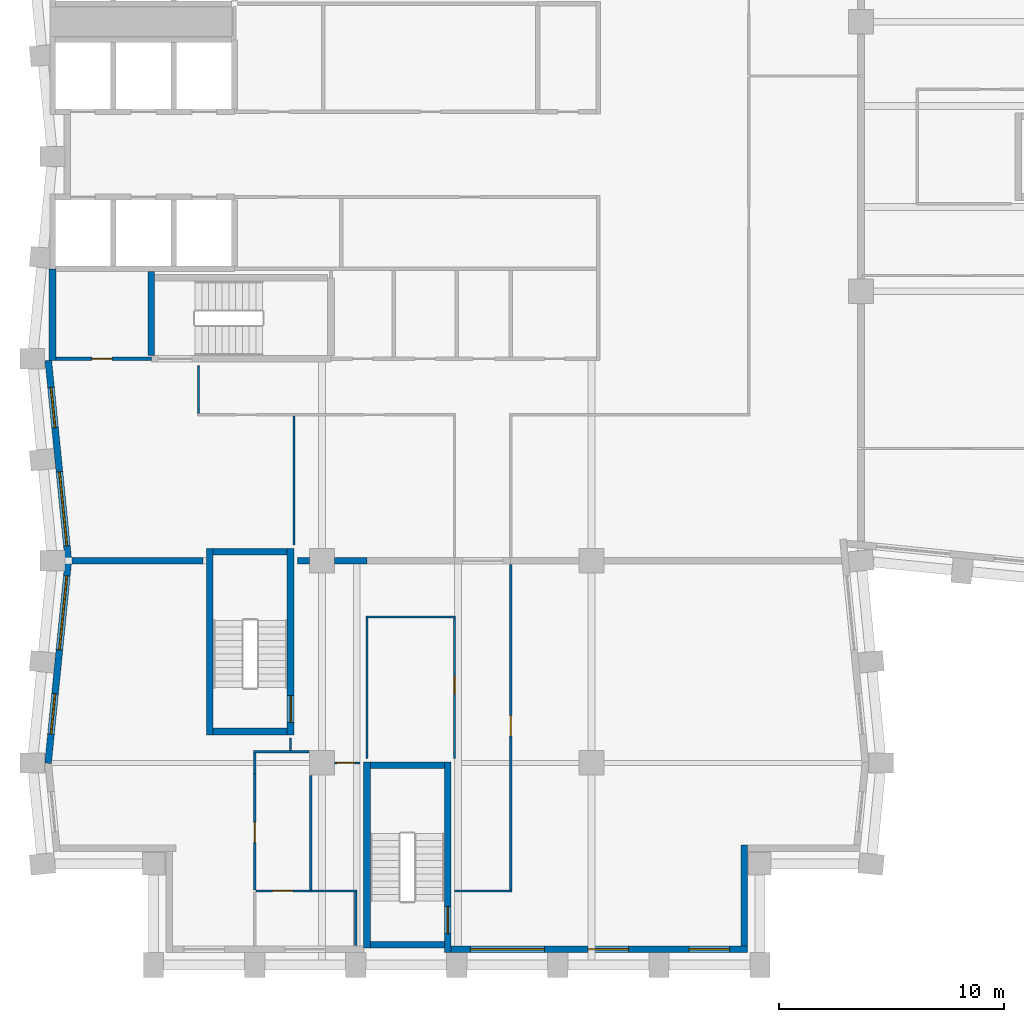
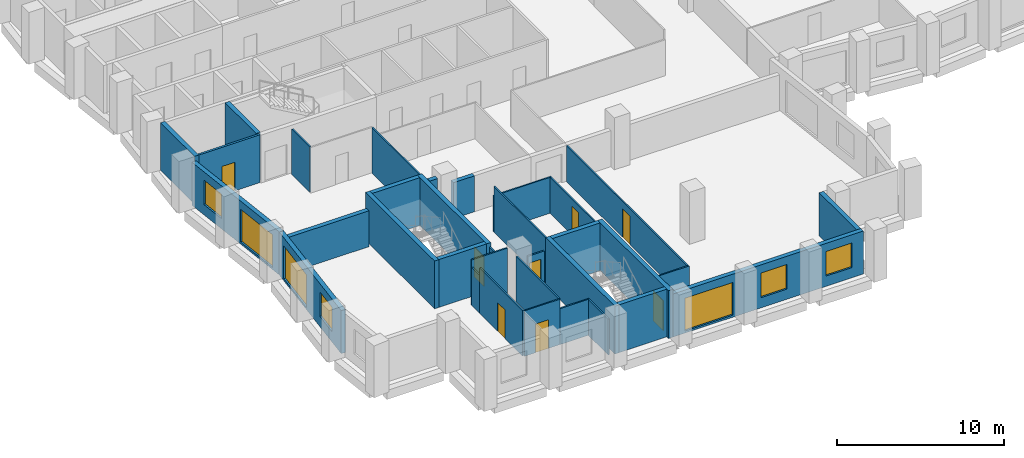
# One storey, part 3 of 10: 34 walls, 8 doors, 7 windows, 15 openings.
"""IFC4 building model written with IfcOpenShell, lengths in metres."""

from ifc_helpers import new_model, si_unit, direction, frame, frame_2d, origin, place, context, subcontext, project, spatial, rectangle, extrude, material, layer, layer_set, type_object, element, fill, save


model = new_model("IFC4")

# Units and contexts
model_context = context("Model", 3, precision=1e-05, world=origin(), true_north=direction((0.0, 1.0)))
body_context = subcontext(model_context, "Body", "Model", "MODEL_VIEW")
ifc_project = project(units=[si_unit("LENGTHUNIT", "METRE"), si_unit("AREAUNIT", "SQUARE_METRE"), si_unit("VOLUMEUNIT", "CUBIC_METRE"), si_unit("PLANEANGLEUNIT", "RADIAN"), si_unit("MASSUNIT", "GRAM", prefix="KILO")], contexts=[model_context])

# Site, building, storey
site_placement = place(None, origin())
site = spatial("IfcSite", under=ifc_project, at=site_placement, CompositionType="ELEMENT")
building_placement = place(site_placement, origin())
building = spatial("IfcBuilding", under=site, at=building_placement, Name="Brondeck Convention Tower", CompositionType="ELEMENT")
storey_placement = place(building_placement, frame((0.0, 0.0, 185.199951171875)))
storey = spatial("IfcBuildingStorey", under=building, at=storey_placement, Name="L45", CompositionType="ELEMENT", Elevation=185.199951171875)

# Walls
ifc_material_1 = material(Name="Concrete compartment wall C30/37", Category="concrete")
ifc_layer_1 = layer(ifc_material_1, 0.300048828125)
ifc_layer_set_1 = layer_set([ifc_layer_1], Name="Compartment wall 300")
wall_type_1 = type_object("IfcWallType", Name="Compartment wall 300", PredefinedType="PARTITIONING", material=ifc_layer_set_1)
wall_1_placement = place(storey_placement, frame((0.8740234375, 27.0, 0.0), z_axis=(0.0, 0.0, 1.0), x_axis=(1.0, 0.0, 0.0)))
element("IfcWall", 1, at=wall_1_placement, inside=storey, type_object=wall_type_1, Name="FLR-L45-W017", PredefinedType="PARTITIONING", context=body_context, shape_type="SweptSolid", body=[
    extrude(rectangle(XDim=5.825927734375, YDim=0.300048828125, at=frame_2d((2.9130859375, 0.0))), origin(), (0.0, 0.0, 1.0), 2.630126953125),
])
wall_2_placement = place(storey_placement, frame((10.89990234375, 27.0, 0.0), z_axis=(0.0, 0.0, 1.0), x_axis=(1.0, 0.0, 0.0)))
element("IfcWall", 2, at=wall_2_placement, inside=storey, type_object=wall_type_1, Name="FLR-L45-W018", PredefinedType="PARTITIONING", context=body_context, shape_type="SweptSolid", body=[
    extrude(rectangle(XDim=0.545166015625, YDim=0.300048828125, at=frame_2d((0.2724609375, 0.0))), origin(), (0.0, 0.0, 1.0), 3.330078125),
])
wall_3_placement = place(storey_placement, frame((12.554931640625, 27.0, 0.0), z_axis=(0.0, 0.0, 1.0), x_axis=(1.0, 0.0, 0.0)))
element("IfcWall", 3, at=wall_3_placement, inside=storey, type_object=wall_type_1, Name="FLR-L45-W019", PredefinedType="PARTITIONING", context=body_context, shape_type="SweptSolid", body=[
    extrude(rectangle(XDim=1.445068359375, YDim=0.300048828125, at=frame_2d((0.72265625, 0.0))), origin(), (0.0, 0.0, 1.0), 2.630126953125),
])
ifc_material_2 = material(Name="Concrete C70/85", Category="concrete")
ifc_layer_2 = layer(ifc_material_2, 0.300048828125)
ifc_layer_set_2 = layer_set([ifc_layer_2], Name="Core outer wall 300 Concrete C70/85")
wall_type_2 = type_object("IfcWallType", Name="Core outer wall 300 Concrete C70/85", PredefinedType="SHEAR", material=ifc_layer_set_2)
wall_4_placement = place(storey_placement, frame((0.0, 35.925048828125, 0.0), z_axis=(0.0, 0.0, 1.0), x_axis=(0.0, 1.0, 0.0)))
element("IfcWall", 4, at=wall_4_placement, inside=storey, type_object=wall_type_2, Name="L45 core wall", PredefinedType="SHEAR", context=body_context, shape_type="SweptSolid", body=[
    extrude(rectangle(XDim=4.074951171875, YDim=0.300048828125, at=frame_2d((2.03759765625, 0.0))), origin(), (0.0, 0.0, 1.0), 3.5),
])

# Wall, opening, door
ifc_material_3 = material(Name="Fire-rated gypsum board partition")
ifc_layer_3 = layer(ifc_material_3, 0.14990234375)
ifc_layer_set_3 = layer_set([ifc_layer_3], Name="Core partition 150 EI 60")
wall_type_3 = type_object("IfcWallType", Name="Core partition 150 EI 60", PredefinedType="PARTITIONING", material=ifc_layer_set_3)
wall_5_placement = place(storey_placement, frame((0.14990234375, 36.0, 0.0), z_axis=(0.0, 0.0, 1.0), x_axis=(1.0, 0.0, 0.0)))
wall_5 = element("IfcWall", 5, at=wall_5_placement, inside=storey, type_object=wall_type_3, Name="L45 core wall", PredefinedType="PARTITIONING", context=body_context, shape_type="SweptSolid", body=[
    extrude(rectangle(XDim=4.25, YDim=0.14990234375, at=frame_2d((2.125, 0.0))), origin(), (0.0, 0.0, 1.0), 3.5),
])
opening_1_placement = place(wall_5_placement, frame((1.60009765625, 0.0, 0.0)))
opening_1 = element("IfcOpeningElement", 6, at=opening_1_placement, cuts=wall_5, Name="Opening C25-07", PredefinedType="OPENING", context=body_context, shape_type="SweptSolid", body=[
    extrude(rectangle(XDim=0.89990234375, YDim=2.10009765625, at=frame_2d((0.449951171875, 1.050048828125))), frame((0.0, 0.0849609375, 0.0), z_axis=(0.0, -1.0, 0.0), x_axis=(1.0, 0.0, 0.0)), (0.0, 0.0, 1.0), 0.169921875),
])
ifc_material_4 = material(Name="Steel fire door", Category="steel")
door_type_1 = type_object("IfcDoorType", Name="Room door 900x2100 EI 60", OperationType="NOTDEFINED", PredefinedType="DOOR", material=ifc_material_4)
door_1_placement = place(opening_1_placement, origin())
door_1 = element("IfcDoor", 7, at=door_1_placement, inside=storey, type_object=door_type_1, Name="L45 Room door FRW-1", OperationType="SINGLE_SWING_LEFT", OverallHeight=2.10009765625, OverallWidth=0.89990234375, PredefinedType="DOOR", context=body_context, shape_type="SweptSolid", body=[
    extrude(rectangle(XDim=0.89990234375, YDim=2.10009765625, at=frame_2d((0.449951171875, 1.050048828125))), frame((0.0, 0.02490234375, 0.0), z_axis=(0.0, -1.0, 0.0), x_axis=(1.0, 0.0, 0.0)), (0.0, 0.0, 1.0), 0.050048828125),
])
fill(opening_1, door_1)

# Wall, openings, windows
ifc_material_5 = material(Name="Precast concrete C50/60 bronze finish", Category="concrete")
ifc_layer_4 = layer(ifc_material_5, 0.070068359375, Name="Bronze precast facing")
ifc_material_6 = material(Name="Mineral wool")
ifc_layer_5 = layer(ifc_material_6, 0.159912109375, Name="Insulation")
ifc_material_7 = material(Name="Concrete C35/45", Category="concrete")
ifc_layer_6 = layer(ifc_material_7, 0.070068359375, Name="Backing")
ifc_layer_set_4 = layer_set([ifc_layer_4, ifc_layer_5, ifc_layer_6], Name="External infill wall, precast concrete C50/60 bronze facing")
wall_type_4 = type_object("IfcWallType", Name="External infill wall, precast concrete C50/60 bronze facing", PredefinedType="SOLIDWALL", material=ifc_layer_set_4)
wall_6_placement = place(storey_placement, frame((30.949951171875, 9.699951171875, 0.0), z_axis=(0.0, 0.0, 1.0), x_axis=(-1.0, 0.0, 0.0)))
wall_6 = element("IfcWall", 8, at=wall_6_placement, inside=storey, type_object=wall_type_4, Name="ENV-EW-L45-P1-B-S9-04", PredefinedType="SOLIDWALL", context=body_context, shape_type="SweptSolid", body=[
    extrude(rectangle(XDim=13.199951171875, YDim=0.300048828125, at=frame_2d((6.60009765625, 0.0))), origin(), (0.0, 0.0, 1.0), 3.150146484375),
])
opening_2_placement = place(wall_6_placement, frame((0.800048828125, 0.0, 0.75)))
opening_2 = element("IfcOpeningElement", 9, at=opening_2_placement, cuts=wall_6, Name="Opening W10", PredefinedType="OPENING", context=body_context, shape_type="SweptSolid", body=[
    extrude(rectangle(XDim=1.800048828125, YDim=1.800048828125, at=frame_2d((0.89990234375, 0.89990234375))), frame((0.0, 0.159912109375, 0.0), z_axis=(0.0, -1.0, 0.0), x_axis=(1.0, 0.0, 0.0)), (0.0, 0.0, 1.0), 0.320068359375),
])
opening_3_placement = place(wall_6_placement, frame((5.300048828125, 0.0, 0.75)))
opening_3 = element("IfcOpeningElement", 10, at=opening_3_placement, cuts=wall_6, Name="Opening W10", PredefinedType="OPENING", context=body_context, shape_type="SweptSolid", body=[
    extrude(rectangle(XDim=1.800048828125, YDim=1.800048828125, at=frame_2d((0.89990234375, 0.89990234375))), frame((0.0, 0.159912109375, 0.0), z_axis=(0.0, -1.0, 0.0), x_axis=(1.0, 0.0, 0.0)), (0.0, 0.0, 1.0), 0.320068359375),
])
opening_4_placement = place(wall_6_placement, frame((9.050048828125, 0.0, 0.14990234375)))
opening_4 = element("IfcOpeningElement", 11, at=opening_4_placement, cuts=wall_6, Name="Opening W9", PredefinedType="OPENING", context=body_context, shape_type="SweptSolid", body=[
    extrude(rectangle(XDim=3.300048828125, YDim=2.39990234375, at=frame_2d((1.64990234375, 1.199951171875))), frame((0.0, 0.159912109375, 0.0), z_axis=(0.0, -1.0, 0.0), x_axis=(1.0, 0.0, 0.0)), (0.0, 0.0, 1.0), 0.320068359375),
])
ifc_material_8 = material(Name="Bronze tinted double glazing", Category="glass")
window_type_1 = type_object("IfcWindowType", Name="Glazed flute window, bronze tinted", PartitioningType="SINGLE_PANEL", PredefinedType="WINDOW", material=ifc_material_8)
window_1_placement = place(opening_4_placement, origin())
window_1 = element("IfcWindow", 12, at=window_1_placement, inside=storey, type_object=window_type_1, Name="ENV-WN-L45-P1-B-S9-04", OverallHeight=2.39990234375, OverallWidth=3.300048828125, PartitioningType="SINGLE_PANEL", PredefinedType="WINDOW", context=body_context, shape_type="SweptSolid", body=[
    extrude(rectangle(XDim=3.300048828125, YDim=2.39990234375, at=frame_2d((1.64990234375, 1.199951171875))), frame((0.0, 0.030029296875, 0.0), z_axis=(0.0, -1.0, 0.0), x_axis=(1.0, 0.0, 0.0)), (0.0, 0.0, 1.0), 0.06005859375),
])
fill(opening_4, window_1)
window_type_2 = type_object("IfcWindowType", Name="Punched window, bronze tinted", PartitioningType="SINGLE_PANEL", PredefinedType="WINDOW", material=ifc_material_8)
window_2_placement = place(opening_2_placement, origin())
window_2 = element("IfcWindow", 13, at=window_2_placement, inside=storey, type_object=window_type_2, Name="ENV-WN-L45-P1-B-S9-06", OverallHeight=1.800048828125, OverallWidth=1.800048828125, PartitioningType="SINGLE_PANEL", PredefinedType="WINDOW", context=body_context, shape_type="SweptSolid", body=[
    extrude(rectangle(XDim=1.800048828125, YDim=1.800048828125, at=frame_2d((0.89990234375, 0.89990234375))), frame((0.0, 0.030029296875, 0.0), z_axis=(0.0, -1.0, 0.0), x_axis=(1.0, 0.0, 0.0)), (0.0, 0.0, 1.0), 0.06005859375),
])
fill(opening_2, window_2)
window_3_placement = place(opening_3_placement, origin())
window_3 = element("IfcWindow", 14, at=window_3_placement, inside=storey, type_object=window_type_2, Name="ENV-WN-L45-P1-B-S9-05", OverallHeight=1.800048828125, OverallWidth=1.800048828125, PartitioningType="SINGLE_PANEL", PredefinedType="WINDOW", context=body_context, shape_type="SweptSolid", body=[
    extrude(rectangle(XDim=1.800048828125, YDim=1.800048828125, at=frame_2d((0.89990234375, 0.89990234375))), frame((0.0, 0.030029296875, 0.0), z_axis=(0.0, -1.0, 0.0), x_axis=(1.0, 0.0, 0.0)), (0.0, 0.0, 1.0), 0.06005859375),
])
fill(opening_3, window_3)

# Wall
wall_7_placement = place(storey_placement, frame((30.800048828125, 14.35009765625, 0.0), z_axis=(0.0, 0.0, 1.0), x_axis=(0.0, -1.0, 0.0)))
element("IfcWall", 15, at=wall_7_placement, inside=storey, type_object=wall_type_4, Name="ENV-EW-L45-P1-NC-SEB9-01", PredefinedType="SOLIDWALL", context=body_context, shape_type="SweptSolid", body=[
    extrude(rectangle(XDim=4.502197265625, YDim=0.300048828125, at=frame_2d((2.2509765625, 0.0))), origin(), (0.0, 0.0, 1.0), 3.150146484375),
])

# Wall, openings, windows
wall_8_placement = place(storey_placement, frame((0.705078125, 26.985107421875, 0.0), z_axis=(0.0, 0.0, 1.0), x_axis=(-0.099533329093, 0.995034228758, 0.0)))
wall_8 = element("IfcWall", 16, at=wall_8_placement, inside=storey, type_object=wall_type_4, Name="ENV-EW-L45-P1-B-W-06", PredefinedType="SOLIDWALL", context=body_context, shape_type="SweptSolid", body=[
    extrude(rectangle(XDim=8.97998046875, YDim=0.300048828125, at=frame_2d((4.489990234375, 0.0))), origin(), (0.0, 0.0, 1.0), 3.150146484375),
])
opening_5_placement = place(wall_8_placement, frame((0.6962890625, 0.0, 0.14990234375)))
opening_5 = element("IfcOpeningElement", 17, at=opening_5_placement, cuts=wall_8, Name="Opening W9", PredefinedType="OPENING", context=body_context, shape_type="SweptSolid", body=[
    extrude(rectangle(XDim=3.300048828125, YDim=2.39990234375, at=frame_2d((1.64990234375, 1.199951171875))), frame((0.0, 0.159912109375, 0.0), z_axis=(0.0, -1.0, 0.0), x_axis=(1.0, 0.0, 0.0)), (0.0, 0.0, 1.0), 0.320068359375),
])
opening_6_placement = place(wall_8_placement, frame((5.968505859375, 0.0, 0.75)))
opening_6 = element("IfcOpeningElement", 18, at=opening_6_placement, cuts=wall_8, Name="Opening W10", PredefinedType="OPENING", context=body_context, shape_type="SweptSolid", body=[
    extrude(rectangle(XDim=1.800048828125, YDim=1.800048828125, at=frame_2d((0.89990234375, 0.89990234375))), frame((0.0, 0.159912109375, 0.0), z_axis=(0.0, -1.0, 0.0), x_axis=(1.0, 0.0, 0.0)), (0.0, 0.0, 1.0), 0.320068359375),
])
window_4_placement = place(opening_5_placement, origin())
window_4 = element("IfcWindow", 19, at=window_4_placement, inside=storey, type_object=window_type_1, Name="ENV-WN-L45-P1-B-W-07", OverallHeight=2.39990234375, OverallWidth=3.300048828125, PartitioningType="SINGLE_PANEL", PredefinedType="WINDOW", context=body_context, shape_type="SweptSolid", body=[
    extrude(rectangle(XDim=3.300048828125, YDim=2.39990234375, at=frame_2d((1.64990234375, 1.199951171875))), frame((0.0, 0.030029296875, 0.0), z_axis=(0.0, -1.0, 0.0), x_axis=(1.0, 0.0, 0.0)), (0.0, 0.0, 1.0), 0.06005859375),
])
fill(opening_5, window_4)
window_5_placement = place(opening_6_placement, origin())
window_5 = element("IfcWindow", 20, at=window_5_placement, inside=storey, type_object=window_type_2, Name="ENV-WN-L45-P1-B-W-06", OverallHeight=1.800048828125, OverallWidth=1.800048828125, PartitioningType="SINGLE_PANEL", PredefinedType="WINDOW", context=body_context, shape_type="SweptSolid", body=[
    extrude(rectangle(XDim=1.800048828125, YDim=1.800048828125, at=frame_2d((0.89990234375, 0.89990234375))), frame((0.0, 0.030029296875, 0.0), z_axis=(0.0, -1.0, 0.0), x_axis=(1.0, 0.0, 0.0)), (0.0, 0.0, 1.0), 0.06005859375),
])
fill(opening_6, window_5)

wall_9_placement = place(storey_placement, frame((-0.197998046875, 17.985107421875, 0.0), z_axis=(0.0, 0.0, 1.0), x_axis=(0.099495688264, 0.995037993253, 0.0)))
wall_9 = element("IfcWall", 21, at=wall_9_placement, inside=storey, type_object=wall_type_4, Name="ENV-EW-L45-P1-B-W-08", PredefinedType="SOLIDWALL", context=body_context, shape_type="SweptSolid", body=[
    extrude(rectangle(XDim=9.030029296875, YDim=0.300048828125, at=frame_2d((4.51513671875, 0.0))), origin(), (0.0, 0.0, 1.0), 3.150146484375),
])
opening_7_placement = place(wall_9_placement, frame((1.30615234375, 0.0, 0.75)))
opening_7 = element("IfcOpeningElement", 22, at=opening_7_placement, cuts=wall_9, Name="Opening W10", PredefinedType="OPENING", context=body_context, shape_type="SweptSolid", body=[
    extrude(rectangle(XDim=1.800048828125, YDim=1.800048828125, at=frame_2d((0.89990234375, 0.89990234375))), frame((0.0, 0.159912109375, 0.0), z_axis=(0.0, -1.0, 0.0), x_axis=(1.0, 0.0, 0.0)), (0.0, 0.0, 1.0), 0.320068359375),
])
opening_8_placement = place(wall_9_placement, frame((5.07861328125, 0.0, 0.14990234375)))
opening_8 = element("IfcOpeningElement", 23, at=opening_8_placement, cuts=wall_9, Name="Opening W9", PredefinedType="OPENING", context=body_context, shape_type="SweptSolid", body=[
    extrude(rectangle(XDim=3.300048828125, YDim=2.39990234375, at=frame_2d((1.64990234375, 1.199951171875))), frame((0.0, 0.159912109375, 0.0), z_axis=(0.0, -1.0, 0.0), x_axis=(1.0, 0.0, 0.0)), (0.0, 0.0, 1.0), 0.320068359375),
])
window_6_placement = place(opening_8_placement, origin())
window_6 = element("IfcWindow", 24, at=window_6_placement, inside=storey, type_object=window_type_1, Name="ENV-WN-L45-P1-B-W-08", OverallHeight=2.39990234375, OverallWidth=3.300048828125, PartitioningType="SINGLE_PANEL", PredefinedType="WINDOW", context=body_context, shape_type="SweptSolid", body=[
    extrude(rectangle(XDim=3.300048828125, YDim=2.39990234375, at=frame_2d((1.64990234375, 1.199951171875))), frame((0.0, 0.030029296875, 0.0), z_axis=(0.0, -1.0, 0.0), x_axis=(1.0, 0.0, 0.0)), (0.0, 0.0, 1.0), 0.06005859375),
])
fill(opening_8, window_6)
window_7_placement = place(opening_7_placement, origin())
window_7 = element("IfcWindow", 25, at=window_7_placement, inside=storey, type_object=window_type_2, Name="ENV-WN-L45-P1-B-W-09", OverallHeight=1.800048828125, OverallWidth=1.800048828125, PartitioningType="SINGLE_PANEL", PredefinedType="WINDOW", context=body_context, shape_type="SweptSolid", body=[
    extrude(rectangle(XDim=1.800048828125, YDim=1.800048828125, at=frame_2d((0.89990234375, 0.89990234375))), frame((0.0, 0.030029296875, 0.0), z_axis=(0.0, -1.0, 0.0), x_axis=(1.0, 0.0, 0.0)), (0.0, 0.0, 1.0), 0.06005859375),
])
fill(opening_7, window_7)

# Wall
ifc_material_9 = material(Name="Gypsum board partition on steel studs", Category="steel")
ifc_layer_7 = layer(ifc_material_9, 0.10009765625)
ifc_layer_set_5 = layer_set([ifc_layer_7], Name="Room partition 100")
wall_type_5 = type_object("IfcWallType", Name="Room partition 100", PredefinedType="PARTITIONING", material=ifc_layer_set_5)
wall_10_placement = place(storey_placement, frame((13.5, 12.25, 0.0), z_axis=(0.0, 0.0, 1.0), x_axis=(0.0, -1.0, 0.0)))
element("IfcWall", 26, at=wall_10_placement, inside=storey, type_object=wall_type_5, Name="FLR-L45-W003", PredefinedType="PARTITIONING", context=body_context, shape_type="SweptSolid", body=[
    extrude(rectangle(XDim=2.3798828125, YDim=0.10009765625, at=frame_2d((1.18994140625, 0.0))), origin(), (0.0, 0.0, 1.0), 2.630126953125),
])

# Wall, opening, door
wall_11_placement = place(storey_placement, frame((11.5, 12.300048828125, 0.0), z_axis=(0.0, 0.0, 1.0), x_axis=(-1.0, 0.0, 0.0)))
wall_11 = element("IfcWall", 27, at=wall_11_placement, inside=storey, type_object=wall_type_5, Name="FLR-L45-W004", PredefinedType="PARTITIONING", context=body_context, shape_type="SweptSolid", body=[
    extrude(rectangle(XDim=2.449951171875, YDim=0.10009765625, at=frame_2d((1.22509765625, 0.0))), origin(), (0.0, 0.0, 1.0), 3.330078125),
])
opening_9_placement = place(wall_11_placement, frame((0.800048828125, 0.0, 0.0)))
opening_9 = element("IfcOpeningElement", 28, at=opening_9_placement, cuts=wall_11, Name="Opening OF-J-001", PredefinedType="OPENING", context=body_context, shape_type="SweptSolid", body=[
    extrude(rectangle(XDim=0.89990234375, YDim=2.10009765625, at=frame_2d((0.449951171875, 1.050048828125))), frame((0.0, 0.06005859375, 0.0), z_axis=(0.0, -1.0, 0.0), x_axis=(1.0, 0.0, 0.0)), (0.0, 0.0, 1.0), 0.1201171875),
])
ifc_material_10 = material(Name="Solid timber door leaf", Category="wood")
door_type_2 = type_object("IfcDoorType", Name="Single door 900", OperationType="NOTDEFINED", PredefinedType="DOOR", material=ifc_material_10)
door_2_placement = place(opening_9_placement, origin())
door_2 = element("IfcDoor", 29, at=door_2_placement, inside=storey, type_object=door_type_2, Name="Door OF-J-001", OperationType="SINGLE_SWING_RIGHT", OverallHeight=2.10009765625, OverallWidth=0.89990234375, PredefinedType="DOOR", context=body_context, shape_type="SweptSolid", body=[
    extrude(rectangle(XDim=0.89990234375, YDim=2.10009765625, at=frame_2d((0.449951171875, 1.050048828125))), frame((0.0, 0.02490234375, 0.0), z_axis=(0.0, -1.0, 0.0), x_axis=(1.0, 0.0, 0.0)), (0.0, 0.0, 1.0), 0.050048828125),
])
fill(opening_9, door_2)

# Walls
wall_12_placement = place(storey_placement, frame((11.5, 12.300048828125, 0.0), z_axis=(0.0, 0.0, 1.0), x_axis=(1.0, 0.0, 0.0)))
element("IfcWall", 30, at=wall_12_placement, inside=storey, type_object=wall_type_5, Name="FLR-L45-W005", PredefinedType="PARTITIONING", context=body_context, shape_type="SweptSolid", body=[
    extrude(rectangle(XDim=2.050048828125, YDim=0.10009765625, at=frame_2d((1.02490234375, 0.0))), origin(), (0.0, 0.0, 1.0), 2.630126953125),
])
wall_13_placement = place(storey_placement, frame((20.449951171875, 12.300048828125, 0.0), z_axis=(0.0, 0.0, 1.0), x_axis=(-1.0, 0.0, 0.0)))
element("IfcWall", 31, at=wall_13_placement, inside=storey, type_object=wall_type_5, Name="FLR-L45-W006", PredefinedType="PARTITIONING", context=body_context, shape_type="SweptSolid", body=[
    extrude(rectangle(XDim=2.550048828125, YDim=0.10009765625, at=frame_2d((1.27490234375, 0.0))), origin(), (0.0, 0.0, 1.0), 2.630126953125),
])

# Wall, opening, door
wall_14_placement = place(storey_placement, frame((9.0, 12.35009765625, 0.0), z_axis=(0.0, 0.0, 1.0), x_axis=(0.0, 1.0, 0.0)))
wall_14 = element("IfcWall", 32, at=wall_14_placement, inside=storey, type_object=wall_type_5, Name="FLR-L45-W007", PredefinedType="PARTITIONING", context=body_context, shape_type="SweptSolid", body=[
    extrude(rectangle(XDim=5.14990234375, YDim=0.10009765625, at=frame_2d((2.574951171875, 0.0))), origin(), (0.0, 0.0, 1.0), 3.330078125),
])
opening_10_placement = place(wall_14_placement, frame((2.10009765625, 0.0, 0.0)))
opening_10 = element("IfcOpeningElement", 33, at=opening_10_placement, cuts=wall_14, Name="Opening OF-J-011", PredefinedType="OPENING", context=body_context, shape_type="SweptSolid", body=[
    extrude(rectangle(XDim=0.89990234375, YDim=2.10009765625, at=frame_2d((0.449951171875, 1.050048828125))), frame((0.0, 0.06005859375, 0.0), z_axis=(0.0, -1.0, 0.0), x_axis=(1.0, 0.0, 0.0)), (0.0, 0.0, 1.0), 0.1201171875),
])
door_3_placement = place(opening_10_placement, origin())
door_3 = element("IfcDoor", 34, at=door_3_placement, inside=storey, type_object=door_type_2, Name="Door OF-J-011", OperationType="SINGLE_SWING_RIGHT", OverallHeight=2.10009765625, OverallWidth=0.89990234375, PredefinedType="DOOR", context=body_context, shape_type="SweptSolid", body=[
    extrude(rectangle(XDim=0.89990234375, YDim=2.10009765625, at=frame_2d((0.449951171875, 1.050048828125))), frame((0.0, 0.02490234375, 0.0), z_axis=(0.0, -1.0, 0.0), x_axis=(1.0, 0.0, 0.0)), (0.0, 0.0, 1.0), 0.050048828125),
])
fill(opening_10, door_3)

# Walls
wall_15_placement = place(storey_placement, frame((11.5, 17.445068359375, 0.0), z_axis=(0.0, 0.0, 1.0), x_axis=(0.0, -1.0, 0.0)))
element("IfcWall", 35, at=wall_15_placement, inside=storey, type_object=wall_type_5, Name="FLR-L45-W008", PredefinedType="PARTITIONING", context=body_context, shape_type="SweptSolid", body=[
    extrude(rectangle(XDim=5.094970703125, YDim=0.10009765625, at=frame_2d((2.54736328125, 0.0))), origin(), (0.0, 0.0, 1.0), 3.330078125),
])
wall_16_placement = place(storey_placement, frame((9.0, 17.5, 0.0), z_axis=(0.0, 0.0, 1.0), x_axis=(0.0, 1.0, 0.0)))
element("IfcWall", 36, at=wall_16_placement, inside=storey, type_object=wall_type_5, Name="FLR-L45-W009", PredefinedType="PARTITIONING", context=body_context, shape_type="SweptSolid", body=[
    extrude(rectangle(XDim=0.949951171875, YDim=0.10009765625, at=frame_2d((0.47509765625, 0.0))), origin(), (0.0, 0.0, 1.0), 2.780029296875),
])

# Wall, opening, door
wall_17_placement = place(storey_placement, frame((13.699951171875, 18.0, 0.0), z_axis=(0.0, 0.0, 1.0), x_axis=(-1.0, 0.0, 0.0)))
wall_17 = element("IfcWall", 37, at=wall_17_placement, inside=storey, type_object=wall_type_5, Name="FLR-L45-W010", PredefinedType="PARTITIONING", context=body_context, shape_type="SweptSolid", body=[
    extrude(rectangle(XDim=1.14501953125, YDim=0.10009765625, at=frame_2d((0.572509765625, 0.0))), origin(), (0.0, 0.0, 1.0), 2.630126953125),
])
opening_11_placement = place(wall_17_placement, frame((0.2451171875, 0.0, 0.0)))
opening_11 = element("IfcOpeningElement", 38, at=opening_11_placement, cuts=wall_17, Name="Opening OF-J-004", PredefinedType="OPENING", context=body_context, shape_type="SweptSolid", body=[
    extrude(rectangle(XDim=0.800048828125, YDim=2.10009765625, at=frame_2d((0.39990234375, 1.050048828125))), frame((0.0, 0.06005859375, 0.0), z_axis=(0.0, -1.0, 0.0), x_axis=(1.0, 0.0, 0.0)), (0.0, 0.0, 1.0), 0.1201171875),
])
ifc_material_11 = material(Name="Steel service door leaf", Category="steel")
door_type_3 = type_object("IfcDoorType", Name="Service door 800", OperationType="NOTDEFINED", PredefinedType="DOOR", material=ifc_material_11)
door_4_placement = place(opening_11_placement, origin())
door_4 = element("IfcDoor", 39, at=door_4_placement, inside=storey, type_object=door_type_3, Name="Door OF-J-004", OperationType="SINGLE_SWING_LEFT", OverallHeight=2.10009765625, OverallWidth=0.800048828125, PredefinedType="DOOR", context=body_context, shape_type="SweptSolid", body=[
    extrude(rectangle(XDim=0.800048828125, YDim=2.10009765625, at=frame_2d((0.39990234375, 1.050048828125))), frame((0.0, 0.02490234375, 0.0), z_axis=(0.0, -1.0, 0.0), x_axis=(1.0, 0.0, 0.0)), (0.0, 0.0, 1.0), 0.050048828125),
])
fill(opening_11, door_4)

wall_18_placement = place(storey_placement, frame((17.89990234375, 18.199951171875, 0.0), z_axis=(0.0, 0.0, 1.0), x_axis=(0.0, 1.0, 0.0)))
wall_18 = element("IfcWall", 40, at=wall_18_placement, inside=storey, type_object=wall_type_5, Name="FLR-L45-W011", PredefinedType="PARTITIONING", context=body_context, shape_type="SweptSolid", body=[
    extrude(rectangle(XDim=6.25, YDim=0.10009765625, at=frame_2d((3.125, 0.0))), origin(), (0.0, 0.0, 1.0), 2.630126953125),
])
opening_12_placement = place(wall_18_placement, frame((2.85009765625, 0.0, 0.0)))
opening_12 = element("IfcOpeningElement", 41, at=opening_12_placement, cuts=wall_18, Name="Opening OF-J-003", PredefinedType="OPENING", context=body_context, shape_type="SweptSolid", body=[
    extrude(rectangle(XDim=0.800048828125, YDim=2.10009765625, at=frame_2d((0.39990234375, 1.050048828125))), frame((0.0, 0.06005859375, 0.0), z_axis=(0.0, -1.0, 0.0), x_axis=(1.0, 0.0, 0.0)), (0.0, 0.0, 1.0), 0.1201171875),
])
door_5_placement = place(opening_12_placement, origin())
door_5 = element("IfcDoor", 42, at=door_5_placement, inside=storey, type_object=door_type_3, Name="Door OF-J-003", OperationType="SINGLE_SWING_LEFT", OverallHeight=2.10009765625, OverallWidth=0.800048828125, PredefinedType="DOOR", context=body_context, shape_type="SweptSolid", body=[
    extrude(rectangle(XDim=0.800048828125, YDim=2.10009765625, at=frame_2d((0.39990234375, 1.050048828125))), frame((0.0, 0.02490234375, 0.0), z_axis=(0.0, -1.0, 0.0), x_axis=(1.0, 0.0, 0.0)), (0.0, 0.0, 1.0), 0.050048828125),
])
fill(opening_12, door_5)

# Walls
wall_19_placement = place(storey_placement, frame((8.949951171875, 18.5, 0.0), z_axis=(0.0, 0.0, 1.0), x_axis=(1.0, 0.0, 0.0)))
element("IfcWall", 43, at=wall_19_placement, inside=storey, type_object=wall_type_5, Name="FLR-L45-W012", PredefinedType="PARTITIONING", context=body_context, shape_type="SweptSolid", body=[
    extrude(rectangle(XDim=2.47998046875, YDim=0.10009765625, at=frame_2d((1.239990234375, 0.0))), origin(), (0.0, 0.0, 1.0), 3.330078125),
])
wall_20_placement = place(storey_placement, frame((10.60009765625, 18.550048828125, 0.0), z_axis=(0.0, 0.0, 1.0), x_axis=(0.0, 1.0, 0.0)))
element("IfcWall", 44, at=wall_20_placement, inside=storey, type_object=wall_type_5, Name="FLR-L45-W013", PredefinedType="PARTITIONING", context=body_context, shape_type="SweptSolid", body=[
    extrude(rectangle(XDim=0.550048828125, YDim=0.10009765625, at=frame_2d((0.27490234375, 0.0))), origin(), (0.0, 0.0, 1.0), 3.330078125),
])
wall_21_placement = place(storey_placement, frame((14.0, 24.449951171875, 0.0), z_axis=(0.0, 0.0, 1.0), x_axis=(0.0, -1.0, 0.0)))
element("IfcWall", 45, at=wall_21_placement, inside=storey, type_object=wall_type_5, Name="FLR-L45-W014", PredefinedType="PARTITIONING", context=body_context, shape_type="SweptSolid", body=[
    extrude(rectangle(XDim=6.25, YDim=0.10009765625, at=frame_2d((3.125, 0.0))), origin(), (0.0, 0.0, 1.0), 3.330078125),
])
wall_22_placement = place(storey_placement, frame((17.949951171875, 24.5, 0.0), z_axis=(0.0, 0.0, 1.0), x_axis=(-1.0, 0.0, 0.0)))
element("IfcWall", 46, at=wall_22_placement, inside=storey, type_object=wall_type_5, Name="FLR-L45-W015", PredefinedType="PARTITIONING", context=body_context, shape_type="SweptSolid", body=[
    extrude(rectangle(XDim=4.0, YDim=0.10009765625, at=frame_2d((2.0, 0.0))), origin(), (0.0, 0.0, 1.0), 2.630126953125),
])

# Wall, opening, door
wall_23_placement = place(storey_placement, frame((20.39990234375, 26.830078125, 0.0), z_axis=(0.0, 0.0, 1.0), x_axis=(0.0, -1.0, 0.0)))
wall_23 = element("IfcWall", 47, at=wall_23_placement, inside=storey, type_object=wall_type_5, Name="FLR-L45-W016", PredefinedType="PARTITIONING", context=body_context, shape_type="SweptSolid", body=[
    extrude(rectangle(XDim=14.47998046875, YDim=0.10009765625, at=frame_2d((7.239990234375, 0.0))), origin(), (0.0, 0.0, 1.0), 2.630126953125),
])
opening_13_placement = place(wall_23_placement, frame((6.72998046875, 0.0, 0.0)))
opening_13 = element("IfcOpeningElement", 48, at=opening_13_placement, cuts=wall_23, Name="Opening OF-J-010", PredefinedType="OPENING", context=body_context, shape_type="SweptSolid", body=[
    extrude(rectangle(XDim=0.89990234375, YDim=2.10009765625, at=frame_2d((0.449951171875, 1.050048828125))), frame((0.0, 0.06005859375, 0.0), z_axis=(0.0, -1.0, 0.0), x_axis=(1.0, 0.0, 0.0)), (0.0, 0.0, 1.0), 0.1201171875),
])
door_6_placement = place(opening_13_placement, origin())
door_6 = element("IfcDoor", 49, at=door_6_placement, inside=storey, type_object=door_type_2, Name="Door OF-J-010", OperationType="SINGLE_SWING_LEFT", OverallHeight=2.10009765625, OverallWidth=0.89990234375, PredefinedType="DOOR", context=body_context, shape_type="SweptSolid", body=[
    extrude(rectangle(XDim=0.89990234375, YDim=2.10009765625, at=frame_2d((0.449951171875, 1.050048828125))), frame((0.0, 0.02490234375, 0.0), z_axis=(0.0, -1.0, 0.0), x_axis=(1.0, 0.0, 0.0)), (0.0, 0.0, 1.0), 0.050048828125),
])
fill(opening_13, door_6)

# Walls
wall_24_placement = place(storey_placement, frame((10.748046875, 33.449951171875, 0.0), z_axis=(0.0, 0.0, 1.0), x_axis=(0.0, -1.0, 0.0)))
element("IfcWall", 50, at=wall_24_placement, inside=storey, type_object=wall_type_5, Name="FLR-L45-W030", PredefinedType="PARTITIONING", context=body_context, shape_type="SweptSolid", body=[
    extrude(rectangle(XDim=5.75, YDim=0.10009765625, at=frame_2d((2.875, 0.0))), origin(), (0.0, 0.0, 1.0), 3.330078125),
])
wall_25_placement = place(storey_placement, frame((6.5, 33.550048828125, 0.0), z_axis=(0.0, 0.0, 1.0), x_axis=(0.0, 1.0, 0.0)))
element("IfcWall", 51, at=wall_25_placement, inside=storey, type_object=wall_type_5, Name="FLR-L45-W035", PredefinedType="PARTITIONING", context=body_context, shape_type="SweptSolid", body=[
    extrude(rectangle(XDim=2.14990234375, YDim=0.10009765625, at=frame_2d((1.074951171875, 0.0))), origin(), (0.0, 0.0, 1.0), 3.330078125),
])
ifc_layer_8 = layer(ifc_material_2, 0.300048828125)
ifc_layer_set_6 = layer_set([ifc_layer_8], Name="Stair enclosure wall 300 Concrete C70/85")
wall_type_6 = type_object("IfcWallType", Name="Stair enclosure wall 300 Concrete C70/85", PredefinedType="SHEAR", material=ifc_layer_set_6)
for number, where, z_axis, x_axis, name in (
    (52, (14.14990234375, 9.89990234375, 0.0), (0.0, 0.0, 1.0), (1.0, 0.0, 0.0), "L45 core wall"),
    (53, (14.14990234375, 17.89990234375, 0.0), (0.0, 0.0, 1.0), (1.0, 0.0, 0.0), "L45 core wall"),
    (54, (7.14990234375, 19.39990234375, 0.0), (0.0, 0.0, 1.0), (1.0, 0.0, 0.0), "L45 core wall"),
    (55, (7.14990234375, 27.39990234375, 0.0), (0.0, 0.0, 1.0), (1.0, 0.0, 0.0), "L45 core wall"),
):
    element("IfcWall", number, at=place(storey_placement, frame(where, z_axis=z_axis, x_axis=x_axis)), inside=storey, type_object=wall_type_6, Name=name, PredefinedType="SHEAR", context=body_context, shape_type="SweptSolid", body=[
        extrude(rectangle(XDim=3.300048828125, YDim=0.300048828125, at=frame_2d((1.64990234375, 0.0))), origin(), (0.0, 0.0, 1.0), 3.5),
    ])
wall_26_placement = place(storey_placement, frame((4.39990234375, 36.14990234375, 0.0), z_axis=(0.0, 0.0, 1.0), x_axis=(0.0, 1.0, 0.0)))
element("IfcWall", 56, at=wall_26_placement, inside=storey, type_object=wall_type_6, Name="L45 core wall", PredefinedType="SHEAR", context=body_context, shape_type="SweptSolid", body=[
    extrude(rectangle(XDim=3.72509765625, YDim=0.300048828125, at=frame_2d((1.862548828125, 0.0))), origin(), (0.0, 0.0, 1.0), 3.5),
])
wall_27_placement = place(storey_placement, frame((7.0, 19.25, 0.0), z_axis=(0.0, 0.0, 1.0), x_axis=(0.0, 1.0, 0.0)))
element("IfcWall", 57, at=wall_27_placement, inside=storey, type_object=wall_type_6, Name="L45 core wall", PredefinedType="SHEAR", context=body_context, shape_type="SweptSolid", body=[
    extrude(rectangle(XDim=8.300048828125, YDim=0.300048828125, at=frame_2d((4.14990234375, 0.0))), origin(), (0.0, 0.0, 1.0), 3.5),
])

# Wall, opening, door
wall_28_placement = place(storey_placement, frame((10.60009765625, 19.25, 0.0), z_axis=(0.0, 0.0, 1.0), x_axis=(0.0, 1.0, 0.0)))
wall_28 = element("IfcWall", 58, at=wall_28_placement, inside=storey, type_object=wall_type_6, Name="L45 core wall", PredefinedType="SHEAR", context=body_context, shape_type="SweptSolid", body=[
    extrude(rectangle(XDim=8.300048828125, YDim=0.300048828125, at=frame_2d((4.14990234375, 0.0))), origin(), (0.0, 0.0, 1.0), 3.5),
])
opening_14_placement = place(wall_28_placement, frame((0.550048828125, 0.0, 0.0)))
opening_14 = element("IfcOpeningElement", 59, at=opening_14_placement, cuts=wall_28, Name="Opening C25-19", PredefinedType="OPENING", context=body_context, shape_type="SweptSolid", body=[
    extrude(rectangle(XDim=1.199951171875, YDim=2.199951171875, at=frame_2d((0.60009765625, 1.10009765625))), frame((0.0, 0.159912109375, 0.0), z_axis=(0.0, -1.0, 0.0), x_axis=(1.0, 0.0, 0.0)), (0.0, 0.0, 1.0), 0.320068359375),
])
door_type_4 = type_object("IfcDoorType", Name="Stair door 1200x2200 EI 90", OperationType="NOTDEFINED", PredefinedType="DOOR", material=ifc_material_4)
door_7_placement = place(opening_14_placement, origin())
door_7 = element("IfcDoor", 60, at=door_7_placement, inside=storey, type_object=door_type_4, Name="L45 Stair door ST-BE", OperationType="SINGLE_SWING_RIGHT", OverallHeight=2.199951171875, OverallWidth=1.199951171875, PredefinedType="DOOR", context=body_context, shape_type="SweptSolid", body=[
    extrude(rectangle(XDim=1.199951171875, YDim=2.199951171875, at=frame_2d((0.60009765625, 1.10009765625))), frame((0.0, 0.02490234375, 0.0), z_axis=(0.0, -1.0, 0.0), x_axis=(1.0, 0.0, 0.0)), (0.0, 0.0, 1.0), 0.050048828125),
])
fill(opening_14, door_7)

# Wall
wall_29_placement = place(storey_placement, frame((14.0, 9.75, 0.0), z_axis=(0.0, 0.0, 1.0), x_axis=(0.0, 1.0, 0.0)))
element("IfcWall", 61, at=wall_29_placement, inside=storey, type_object=wall_type_6, Name="L45 core wall", PredefinedType="SHEAR", context=body_context, shape_type="SweptSolid", body=[
    extrude(rectangle(XDim=8.300048828125, YDim=0.300048828125, at=frame_2d((4.14990234375, 0.0))), origin(), (0.0, 0.0, 1.0), 3.5),
])

# Wall, opening, door
wall_30_placement = place(storey_placement, frame((17.60009765625, 9.550048828125, 0.0), z_axis=(0.0, 0.0, 1.0), x_axis=(0.0, 1.0, 0.0)))
wall_30 = element("IfcWall", 62, at=wall_30_placement, inside=storey, type_object=wall_type_6, Name="L45 core wall", PredefinedType="SHEAR", context=body_context, shape_type="SweptSolid", body=[
    extrude(rectangle(XDim=8.5, YDim=0.300048828125, at=frame_2d((4.25, 0.0))), origin(), (0.0, 0.0, 1.0), 3.5),
])
opening_15_placement = place(wall_30_placement, frame((0.85009765625, 0.0, 0.0)))
opening_15 = element("IfcOpeningElement", 63, at=opening_15_placement, cuts=wall_30, Name="Opening C25-20", PredefinedType="OPENING", context=body_context, shape_type="SweptSolid", body=[
    extrude(rectangle(XDim=1.199951171875, YDim=2.199951171875, at=frame_2d((0.60009765625, 1.10009765625))), frame((0.0, 0.159912109375, 0.0), z_axis=(0.0, -1.0, 0.0), x_axis=(1.0, 0.0, 0.0)), (0.0, 0.0, 1.0), 0.320068359375),
])
door_8_placement = place(opening_15_placement, origin())
door_8 = element("IfcDoor", 64, at=door_8_placement, inside=storey, type_object=door_type_4, Name="L45 Stair door ST-BF", OperationType="SINGLE_SWING_LEFT", OverallHeight=2.199951171875, OverallWidth=1.199951171875, PredefinedType="DOOR", context=body_context, shape_type="SweptSolid", body=[
    extrude(rectangle(XDim=1.199951171875, YDim=2.199951171875, at=frame_2d((0.60009765625, 1.10009765625))), frame((0.0, 0.02490234375, 0.0), z_axis=(0.0, -1.0, 0.0), x_axis=(1.0, 0.0, 0.0)), (0.0, 0.0, 1.0), 0.050048828125),
])
fill(opening_15, door_8)

save(model, "model.ifc")
